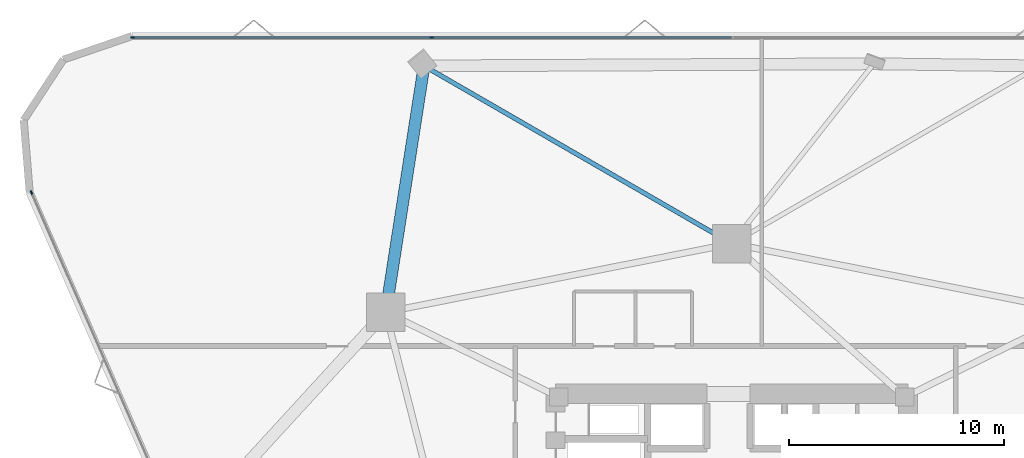
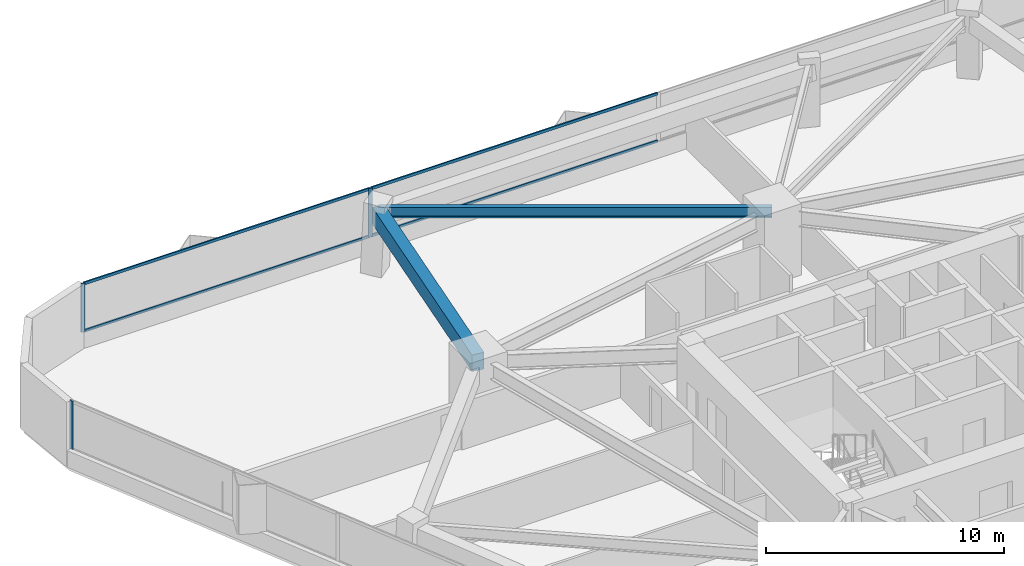
# One storey, part 12 of 20: 7 members, 2 beams, 2 elements without a shape of their own.
"""IFC4 building model written with IfcOpenShell, lengths in metres."""

from ifc_helpers import new_model, si_unit, direction, frame, origin, origin_2d, place, context, subcontext, project, spatial, rectangle, i_section, extrude, material, layer, layer_set, material_profile, profile_set, type_object, element, aggregate, save


model = new_model("IFC4")

# Units and contexts
model_context = context("Model", 3, precision=1e-05, world=origin(), true_north=direction((0.0, 1.0)))
body_context = subcontext(model_context, "Body", "Model", "MODEL_VIEW")
ifc_project = project(units=[si_unit("LENGTHUNIT", "METRE"), si_unit("AREAUNIT", "SQUARE_METRE"), si_unit("VOLUMEUNIT", "CUBIC_METRE"), si_unit("PLANEANGLEUNIT", "RADIAN"), si_unit("MASSUNIT", "GRAM", prefix="KILO")], contexts=[model_context])

# Site, building, storey
site_placement = place(None, origin())
site = spatial("IfcSite", under=ifc_project, at=site_placement, CompositionType="ELEMENT")
building_placement = place(site_placement, origin())
building = spatial("IfcBuilding", under=site, at=building_placement, Name="Talyreon Biosciences Tower", CompositionType="ELEMENT")
storey_placement = place(building_placement, frame((0.0, 0.0, 62.949951171875)))
storey = spatial("IfcBuildingStorey", under=building, at=storey_placement, Name="L16", CompositionType="ELEMENT", Elevation=62.949951171875)

# Curtain wall, member
ifc_material_1 = material(Name="Thermally broken aluminium and low-E glazing", Category="aluminium")
ifc_layer = layer(ifc_material_1, 0.195068359375)
ifc_layer_set = layer_set([ifc_layer], Name="Thermally broken aluminium and low-E glazing")
curtain_wall_type = type_object("IfcCurtainWallType", Name="CurtainWall_Zone1WetLab", PredefinedType="NOTDEFINED", material=ifc_layer_set)
curtain_wall_1_placement = place(storey_placement, origin())
curtain_wall_1 = element("IfcCurtainWall", 1, at=curtain_wall_1_placement, inside=storey, type_object=curtain_wall_type, Name="L16 Unitised Curtain Wall FCW-L16-00", PredefinedType="NOTDEFINED")
ifc_material_2 = material(Name="Anodised thermally broken aluminium", Category="aluminium")
ifc_material_profile_1 = material_profile(ifc_material_2, rectangle(XDim=0.06494140625, YDim=0.179931640625, at=origin_2d()), Name="ALUM MULLION 65x180")
ifc_profile_set_1 = profile_set([ifc_material_profile_1], Name="Anodised thermally broken aluminium")
member_type_1 = type_object("IfcMemberType", Name="CWMullion_65x180", PredefinedType="MULLION", material=ifc_profile_set_1)
member_1_placement = place(storey_placement, frame((33.4072265625, 84.171142578125, 0.81005859375), z_axis=(0.0, 0.0, 1.0), x_axis=(-0.916092182361, -0.400967721165, 0.0)))
member_1 = element("IfcMember", 2, at=member_1_placement, type_object=member_type_1, Name="CW2 mullion 6", PredefinedType="MULLION", context=body_context, shape_type="SweptSolid", body=[
    extrude(rectangle(XDim=0.06494140625, YDim=0.179931640625, at=origin_2d()), origin(), (0.0, 0.0, 1.0), 2.489990234375),
])
aggregate(curtain_wall_1, [member_1])

# Curtain wall, members
curtain_wall_2_placement = place(storey_placement, origin())
curtain_wall_2 = element("IfcCurtainWall", 3, at=curtain_wall_2_placement, inside=storey, type_object=curtain_wall_type, Name="L16 Unitised Curtain Wall FCW-L16-04", PredefinedType="NOTDEFINED")
member_2_placement = place(storey_placement, frame((38.1171875, 91.373779296875, 0.81005859375), z_axis=(0.0, 0.0, 1.0), x_axis=(0.0, 1.0, 0.0)))
member_2 = element("IfcMember", 4, at=member_2_placement, type_object=member_type_1, Name="CW2 mullion 1", PredefinedType="MULLION", context=body_context, shape_type="SweptSolid", body=[
    extrude(rectangle(XDim=0.06494140625, YDim=0.179931640625, at=origin_2d()), origin(), (0.0, 0.0, 1.0), 2.489990234375),
])
member_3_placement = place(storey_placement, frame((52.042236328125, 91.373779296875, 0.81005859375), z_axis=(0.0, 0.0, 1.0), x_axis=(0.0, 1.0, 0.0)))
member_3 = element("IfcMember", 5, at=member_3_placement, type_object=member_type_1, Name="CW2 mullion 2", PredefinedType="MULLION", context=body_context, shape_type="SweptSolid", body=[
    extrude(rectangle(XDim=0.06494140625, YDim=0.179931640625, at=origin_2d()), origin(), (0.0, 0.0, 1.0), 2.489990234375),
])
ifc_material_profile_2 = material_profile(ifc_material_2, rectangle(XDim=0.06494140625, YDim=0.139892578125, at=origin_2d()), Name="ALUM TRANSOM 65x140")
ifc_profile_set_2 = profile_set([ifc_material_profile_2], Name="Anodised thermally broken aluminium")
member_type_2 = type_object("IfcMemberType", Name="CWTransom_65x140", PredefinedType="USERDEFINED", material=ifc_profile_set_2)
member_4_placement = place(storey_placement, frame((38.149658203125, 91.373779296875, 0.842529296875), z_axis=(1.0, 0.0, 0.0), x_axis=(0.0, 1.0, 0.0)))
member_4 = element("IfcMember", 6, at=member_4_placement, type_object=member_type_2, Name="CW2 transom 1.1", ObjectType="TRANSOM", PredefinedType="USERDEFINED", context=body_context, shape_type="SweptSolid", body=[
    extrude(rectangle(XDim=0.06494140625, YDim=0.139892578125, at=origin_2d()), origin(), (0.0, 0.0, 1.0), 13.860107421875),
])
member_5_placement = place(storey_placement, frame((38.149658203125, 91.373779296875, 3.267578125), z_axis=(1.0, 0.0, 0.0), x_axis=(0.0, 1.0, 0.0)))
member_5 = element("IfcMember", 7, at=member_5_placement, type_object=member_type_2, Name="CW2 transom 1.2", ObjectType="TRANSOM", PredefinedType="USERDEFINED", context=body_context, shape_type="SweptSolid", body=[
    extrude(rectangle(XDim=0.06494140625, YDim=0.139892578125, at=origin_2d()), origin(), (0.0, 0.0, 1.0), 13.860107421875),
])
member_6_placement = place(storey_placement, frame((52.07470703125, 91.373779296875, 0.842529296875), z_axis=(1.0, 0.0, 0.0), x_axis=(0.0, 1.0, 0.0)))
member_6 = element("IfcMember", 8, at=member_6_placement, type_object=member_type_2, Name="CW2 transom 2.1", ObjectType="TRANSOM", PredefinedType="USERDEFINED", context=body_context, shape_type="SweptSolid", body=[
    extrude(rectangle(XDim=0.06494140625, YDim=0.139892578125, at=origin_2d()), origin(), (0.0, 0.0, 1.0), 13.892822265625),
])
member_7_placement = place(storey_placement, frame((52.07470703125, 91.373779296875, 3.267578125), z_axis=(1.0, 0.0, 0.0), x_axis=(0.0, 1.0, 0.0)))
member_7 = element("IfcMember", 9, at=member_7_placement, type_object=member_type_2, Name="CW2 transom 2.2", ObjectType="TRANSOM", PredefinedType="USERDEFINED", context=body_context, shape_type="SweptSolid", body=[
    extrude(rectangle(XDim=0.06494140625, YDim=0.139892578125, at=origin_2d()), origin(), (0.0, 0.0, 1.0), 13.892822265625),
])
aggregate(curtain_wall_2, [member_2, member_3, member_4, member_5, member_6, member_7])

# Beams
ifc_material_3 = material(Name="Precast concrete C45/55", Category="concrete")
ifc_material_profile_3 = material_profile(ifc_material_3, rectangle(XDim=0.550048828125, YDim=0.85009765625, at=origin_2d()), Name="RCB 550x850")
ifc_profile_set_3 = profile_set([ifc_material_profile_3], Name="Precast concrete C45/55")
beam_type_1 = type_object("IfcBeamType", Name="ExpressedSpandrel_550x850", PredefinedType="SPANDREL", material=ifc_profile_set_3)
beam_1_placement = place(storey_placement, frame((51.679931640625, 90.059326171875, 2.875), z_axis=(-0.153660878012, -0.988123643361, 0.0), x_axis=(0.988123643361, -0.153660878012, 0.0)))
element("IfcBeam", 10, at=beam_1_placement, inside=storey, type_object=beam_type_1, Name="L16 Expressed Horizontal Concrete Spandrel 08", PredefinedType="SPANDREL", context=body_context, shape_type="SweptSolid", body=[
    extrude(rectangle(XDim=0.550048828125, YDim=0.85009765625, at=origin_2d()), origin(), (0.0, 0.0, 1.0), 11.598388671875),
])
ifc_material_4 = material(Name="Steel SM355", Category="steel")
ifc_material_profile_4 = material_profile(ifc_material_4, i_section(OverallWidth=0.2099609375, OverallDepth=0.550048828125, WebThickness=0.010986328125, FlangeThickness=0.01708984375, FilletRadius=0.02392578125, at=origin_2d()), Name="IPE550")
ifc_profile_set_4 = profile_set([ifc_material_profile_4], Name="Steel SM355")
beam_type_2 = type_object("IfcBeamType", Name="SteelJoist_IPE550", PredefinedType="JOIST", material=ifc_profile_set_4)
beam_2_placement = place(storey_placement, frame((66.0, 81.788818359375, 3.025146484375), z_axis=(-0.865951749896, 0.500127550583, 0.0), x_axis=(-0.500127550583, -0.865951749896, 0.0)))
element("IfcBeam", 11, at=beam_2_placement, inside=storey, type_object=beam_type_2, Name="L16 Radial Composite Floor Joist PC-N2", PredefinedType="JOIST", context=body_context, shape_type="SweptSolid", body=[
    extrude(i_section(OverallWidth=0.2099609375, OverallDepth=0.550048828125, WebThickness=0.010986328125, FlangeThickness=0.01708984375, FilletRadius=0.02392578125, at=origin_2d()), origin(), (0.0, 0.0, 1.0), 16.536865234375),
])

save(model, "model.ifc")
